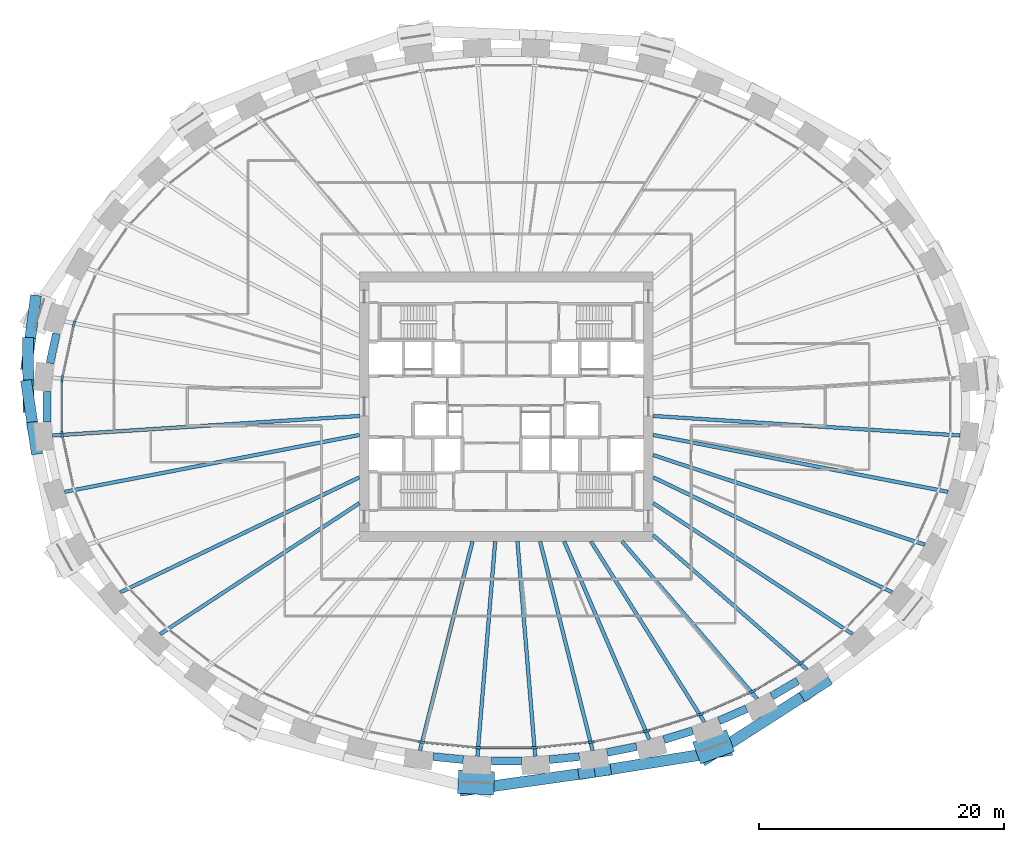
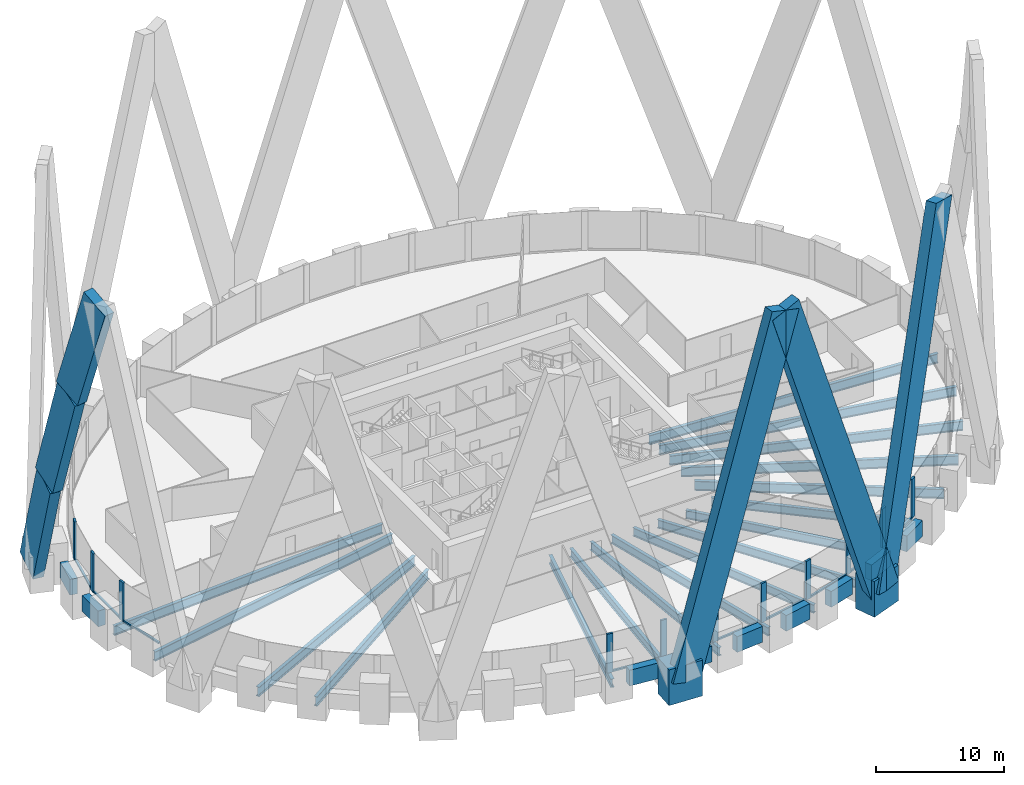
# One storey, part 2 of 12: 29 members, 26 beams, 1 element without a shape of its own.
"""IFC4 building model written with IfcOpenShell, lengths in metres."""

from ifc_helpers import new_model, si_unit, direction, frame, origin, origin_2d, place, context, subcontext, project, spatial, rectangle, i_section, extrude, source, transform, mapped, material, material_profile, profile_set, type_object, element, aggregate, save


model = new_model("IFC4")

# Units and contexts
model_context = context("Model", 3, precision=1e-05, world=origin(), true_north=direction((0.0, 1.0)))
body_context = subcontext(model_context, "Body", "Model", "MODEL_VIEW")
ifc_project = project(units=[si_unit("LENGTHUNIT", "METRE"), si_unit("AREAUNIT", "SQUARE_METRE"), si_unit("VOLUMEUNIT", "CUBIC_METRE"), si_unit("PLANEANGLEUNIT", "RADIAN"), si_unit("MASSUNIT", "GRAM", prefix="KILO")], contexts=[model_context])

# Site, building, storey
site_placement = place(None, origin())
site = spatial("IfcSite", under=ifc_project, at=site_placement, CompositionType="ELEMENT")
building_placement = place(site_placement, origin())
building = spatial("IfcBuilding", under=site, at=building_placement, Name="Embergate Tower", CompositionType="ELEMENT")
storey_placement = place(building_placement, frame((0.0, 0.0, 159.89990234375)))
storey = spatial("IfcBuildingStorey", under=building, at=storey_placement, Name="L35", CompositionType="ELEMENT", Elevation=159.89990234375)

# Beams
ifc_material_1 = material(Name="Concrete C70", Category="concrete")
ifc_material_profile_1 = material_profile(ifc_material_1, rectangle(XDim=0.64990234375, YDim=1.5, at=origin_2d()), Name="RC 650x1500")
ifc_profile_set_1 = profile_set([ifc_material_profile_1], Name="Concrete C70")
beam_type_1 = type_object("IfcBeamType", Name="Spandrel beam RC 650x1500 C70", PredefinedType="BEAM", material=ifc_profile_set_1)
shared_shape_1 = source(origin(), body_context, "Body", "SweptSolid", [
    extrude(rectangle(XDim=0.64990234375, YDim=1.5, at=origin_2d()), origin(), (0.0, 0.0, 1.0), 2.490966796875),
])
beam_1_placement = place(storey_placement, frame((-36.748046875, 5.968017578125, 0.0), z_axis=(-0.210720345789, -0.977546385534, 0.0), x_axis=(0.977546385534, -0.210720345789, 0.0)))
element("IfcBeam", 1, at=beam_1_placement, inside=storey, type_object=beam_type_1, Name="SPN-L35-20", PredefinedType="BEAM", context=body_context, shape_type="MappedRepresentation", body=[
    mapped(shared_shape_1, transform((0.0, 0.0, 0.0))),
])
shared_shape_2 = source(origin(), body_context, "Body", "SweptSolid", [
    extrude(rectangle(XDim=0.64990234375, YDim=1.5, at=origin_2d()), origin(), (0.0, 0.0, 1.0), 2.46142578125),
])
beam_2_placement = place(storey_placement, frame((21.678955078125, -23.652099609375, 0.0), z_axis=(0.86214832468, 0.506655964389, 0.0), x_axis=(-0.506655964389, 0.86214832468, 0.0)))
element("IfcBeam", 2, at=beam_2_placement, inside=storey, type_object=beam_type_1, Name="SPN-L35-37", PredefinedType="BEAM", context=body_context, shape_type="MappedRepresentation", body=[
    mapped(shared_shape_2, transform((0.0, 0.0, 0.0))),
])
shared_shape_3 = source(origin(), body_context, "Body", "SweptSolid", [
    extrude(rectangle(XDim=0.64990234375, YDim=1.5, at=origin_2d()), origin(), (0.0, 0.0, 1.0), 2.456787109375),
])
beam_3_placement = place(storey_placement, frame((17.3701171875, -25.6640625, 0.0), z_axis=(0.916257660854, 0.40058943936, 0.0), x_axis=(-0.40058943936, 0.916257660854, 0.0)))
element("IfcBeam", 3, at=beam_3_placement, inside=storey, type_object=beam_type_1, Name="SPN-L35-36", PredefinedType="BEAM", context=body_context, shape_type="MappedRepresentation", body=[
    mapped(shared_shape_3, transform((0.0, 0.0, 0.0))),
])
shared_shape_4 = source(origin(), body_context, "Body", "SweptSolid", [
    extrude(rectangle(XDim=0.64990234375, YDim=1.5, at=origin_2d()), origin(), (0.0, 0.0, 1.0), 2.4541015625),
])
beam_4_placement = place(storey_placement, frame((12.8720703125, -27.197998046875, 0.0), z_axis=(0.954736297307, 0.29745353016, 0.0), x_axis=(-0.29745353016, 0.954736297307, 0.0)))
element("IfcBeam", 4, at=beam_4_placement, inside=storey, type_object=beam_type_1, Name="SPN-L35-35", PredefinedType="BEAM", context=body_context, shape_type="MappedRepresentation", body=[
    mapped(shared_shape_4, transform((0.0, 0.0, 0.0))),
])
shared_shape_5 = source(origin(), body_context, "Body", "SweptSolid", [
    extrude(rectangle(XDim=0.64990234375, YDim=1.5, at=origin_2d()), origin(), (0.0, 0.0, 1.0), 2.453125),
])
beam_5_placement = place(storey_placement, frame((8.238037109375, -28.2490234375, 0.0), z_axis=(0.980431102511, 0.196862523679, 0.0), x_axis=(-0.196862523679, 0.980431102511, 0.0)))
element("IfcBeam", 5, at=beam_5_placement, inside=storey, type_object=beam_type_1, Name="SPN-L35-34", PredefinedType="BEAM", context=body_context, shape_type="MappedRepresentation", body=[
    mapped(shared_shape_5, transform((0.0, 0.0, 0.0))),
])
shared_shape_6 = source(origin(), body_context, "Body", "SweptSolid", [
    extrude(rectangle(XDim=0.64990234375, YDim=1.5, at=origin_2d()), origin(), (0.0, 0.0, 1.0), 2.45166015625),
])
for number, where, z_axis, x_axis, name in (
    (6, (-5.962890625, -28.587890625, 0.0), (0.995197569904, -0.097886653113, 0.0), (0.097886653113, 0.995197569904, 0.0), "SPN-L35-31"),
    (7, (3.52294921875, -28.827880859375, 0.0), (0.995197569904, 0.097886653113, 0.0), (-0.097886653113, 0.995197569904, 0.0), "SPN-L35-33"),
):
    element("IfcBeam", number, at=place(storey_placement, frame(where, z_axis=z_axis, x_axis=x_axis)), inside=storey, type_object=beam_type_1, Name=name, PredefinedType="BEAM", context=body_context, shape_type="MappedRepresentation", body=[
        mapped(shared_shape_6, transform((0.0, 0.0, 0.0))),
    ])
shared_shape_7 = source(origin(), body_context, "Body", "SweptSolid", [
    extrude(rectangle(XDim=0.64990234375, YDim=1.5, at=origin_2d()), origin(), (0.0, 0.0, 1.0), 2.4521484375),
])
beam_6_placement = place(storey_placement, frame((-1.22607421875, -28.94091796875, 0.0), z_axis=(1.0, 0.0, 0.0), x_axis=(0.0, 1.0, 0.0)))
element("IfcBeam", 8, at=beam_6_placement, inside=storey, type_object=beam_type_1, Name="SPN-L35-32", PredefinedType="BEAM", context=body_context, shape_type="MappedRepresentation", body=[
    mapped(shared_shape_7, transform((0.0, 0.0, 0.0))),
])
shared_shape_8 = source(origin(), body_context, "Body", "SweptSolid", [
    extrude(rectangle(XDim=0.64990234375, YDim=1.5, at=origin_2d()), origin(), (0.0, 0.0, 1.0), 2.4921875),
])
beam_7_placement = place(storey_placement, frame((-37.51611328125, 1.24609375, 0.0), z_axis=(0.0, -1.0, 0.0), x_axis=(1.0, 0.0, 0.0)))
element("IfcBeam", 9, at=beam_7_placement, inside=storey, type_object=beam_type_1, Name="SPN-L35-21", PredefinedType="BEAM", context=body_context, shape_type="MappedRepresentation", body=[
    mapped(shared_shape_8, transform((0.0, 0.0, 0.0))),
])
ifc_material_2 = material(Name="Steel Q355B", Category="steel")
ifc_material_profile_2 = material_profile(ifc_material_2, i_section(OverallWidth=0.300048828125, OverallDepth=0.89990234375, WebThickness=0.01611328125, FlangeThickness=0.028076171875, FilletRadius=0.028076171875, at=origin_2d()), Name="HN 900x300x16x28")
ifc_profile_set_2 = profile_set([ifc_material_profile_2], Name="Steel Q355 grade B")
beam_type_2 = type_object("IfcBeamType", Name="Radial girder HN 900x300x16x28", PredefinedType="BEAM", material=ifc_profile_set_2)
shared_shape_9 = source(origin(), body_context, "Body", "SweptSolid", [
    extrude(i_section(OverallWidth=0.300048828125, OverallDepth=0.89990234375, WebThickness=0.01611328125, FlangeThickness=0.028076171875, FilletRadius=0.028076171875, at=origin_2d()), origin(), (0.0, 0.0, 1.0), 25.12158203125),
])
for number, where, z_axis, x_axis, name in (
    (10, (-37.071044921875, -2.35498046875, -0.64990234375), (0.9979874177, 0.063412255217, 0.0), (-0.063412255217, 0.9979874177, 0.0), "GIR-L35-22"),
    (11, (37.071044921875, -2.35498046875, -0.64990234375), (-0.9979874177, 0.063412255217, 0.0), (-0.063412255217, -0.9979874177, 0.0), "GIR-L35-43"),
):
    element("IfcBeam", number, at=place(storey_placement, frame(where, z_axis=z_axis, x_axis=x_axis)), inside=storey, type_object=beam_type_2, Name=name, PredefinedType="BEAM", context=body_context, shape_type="MappedRepresentation", body=[
        mapped(shared_shape_9, transform((0.0, 0.0, 0.0))),
    ])
shared_shape_10 = source(origin(), body_context, "Body", "SweptSolid", [
    extrude(i_section(OverallWidth=0.300048828125, OverallDepth=0.89990234375, WebThickness=0.01611328125, FlangeThickness=0.028076171875, FilletRadius=0.028076171875, at=origin_2d()), origin(), (0.0, 0.0, 1.0), 24.52392578125),
])
for number, where, z_axis, x_axis, name in (
    (12, (-36.080078125, -6.958984375, -0.64990234375), (0.981906046022, 0.189368732333, 0.0), (-0.189368732333, 0.981906046022, 0.0), "GIR-L35-23"),
    (13, (36.080078125, -6.958984375, -0.64990234375), (-0.981906046022, 0.189368732333, 0.0), (-0.189368732333, -0.981906046022, 0.0), "GIR-L35-42"),
):
    element("IfcBeam", number, at=place(storey_placement, frame(where, z_axis=z_axis, x_axis=x_axis)), inside=storey, type_object=beam_type_2, Name=name, PredefinedType="BEAM", context=body_context, shape_type="MappedRepresentation", body=[
        mapped(shared_shape_10, transform((0.0, 0.0, 0.0))),
    ])
shared_shape_11 = source(origin(), body_context, "Body", "SweptSolid", [
    extrude(i_section(OverallWidth=0.300048828125, OverallDepth=0.89990234375, WebThickness=0.01611328125, FlangeThickness=0.028076171875, FilletRadius=0.028076171875, at=origin_2d()), origin(), (0.0, 0.0, 1.0), 23.36328125),
])
beam_8_placement = place(storey_placement, frame((34.18798828125, -11.27490234375, -0.64990234375), z_axis=(-0.949694119995, 0.313178987877, 0.0), x_axis=(-0.313178987877, -0.949694119995, 0.0)))
element("IfcBeam", 14, at=beam_8_placement, inside=storey, type_object=beam_type_2, Name="GIR-L35-41", PredefinedType="BEAM", context=body_context, shape_type="MappedRepresentation", body=[
    mapped(shared_shape_11, transform((0.0, 0.0, 0.0))),
])
shared_shape_12 = source(origin(), body_context, "Body", "SweptSolid", [
    extrude(i_section(OverallWidth=0.300048828125, OverallDepth=0.89990234375, WebThickness=0.01611328125, FlangeThickness=0.028076171875, FilletRadius=0.028076171875, at=origin_2d()), origin(), (0.0, 0.0, 1.0), 21.680419921875),
])
for number, where, z_axis, x_axis, name in (
    (15, (-31.537109375, -15.172119140625, -0.64990234375), (0.90113839793, 0.433531530315, 0.0), (-0.433531530315, 0.90113839793, 0.0), "GIR-L35-25"),
    (16, (31.537109375, -15.172119140625, -0.64990234375), (-0.90113839793, 0.433531530315, 0.0), (-0.433531530315, -0.90113839793, 0.0), "GIR-L35-40"),
):
    element("IfcBeam", number, at=place(storey_placement, frame(where, z_axis=z_axis, x_axis=x_axis)), inside=storey, type_object=beam_type_2, Name=name, PredefinedType="BEAM", context=body_context, shape_type="MappedRepresentation", body=[
        mapped(shared_shape_12, transform((0.0, 0.0, 0.0))),
    ])
shared_shape_13 = source(origin(), body_context, "Body", "SweptSolid", [
    extrude(i_section(OverallWidth=0.300048828125, OverallDepth=0.89990234375, WebThickness=0.01611328125, FlangeThickness=0.028076171875, FilletRadius=0.028076171875, at=origin_2d()), origin(), (0.0, 0.0, 1.0), 19.484130859375),
])
for number, where, z_axis, x_axis, name in (
    (17, (-28.283935546875, -18.5830078125, -0.64990234375), (0.835750168369, 0.549109876137, 0.0), (-0.549109876137, 0.835750168369, 0.0), "GIR-L35-26"),
    (18, (28.283935546875, -18.5830078125, -0.64990234375), (-0.835750168369, 0.549109876137, 0.0), (-0.549109876137, -0.835750168369, 0.0), "GIR-L35-39"),
):
    element("IfcBeam", number, at=place(storey_placement, frame(where, z_axis=z_axis, x_axis=x_axis)), inside=storey, type_object=beam_type_2, Name=name, PredefinedType="BEAM", context=body_context, shape_type="MappedRepresentation", body=[
        mapped(shared_shape_13, transform((0.0, 0.0, 0.0))),
    ])
ifc_material_profile_3 = material_profile(ifc_material_2, i_section(OverallWidth=0.300048828125, OverallDepth=0.800048828125, WebThickness=0.013916015625, FlangeThickness=0.02587890625, FilletRadius=0.028076171875, at=origin_2d()), Name="HN 800x300x14x26")
ifc_profile_set_3 = profile_set([ifc_material_profile_3], Name="Steel Q355 grade B")
beam_type_3 = type_object("IfcBeamType", Name="Radial girder HN 800x300x14x26", PredefinedType="BEAM", material=ifc_profile_set_3)
shared_shape_14 = source(origin(), body_context, "Body", "SweptSolid", [
    extrude(i_section(OverallWidth=0.300048828125, OverallDepth=0.800048828125, WebThickness=0.013916015625, FlangeThickness=0.02587890625, FilletRadius=0.028076171875, at=origin_2d()), origin(), (0.0, 0.0, 1.0), 16.6953125),
])
beam_9_placement = place(storey_placement, frame((24.56689453125, -21.485107421875, -0.599853515625), z_axis=(-0.752719804108, 0.658341018397, 0.0), x_axis=(-0.658341018397, -0.752719804108, 0.0)))
element("IfcBeam", 19, at=beam_9_placement, inside=storey, type_object=beam_type_3, Name="GIR-L35-38", PredefinedType="BEAM", context=body_context, shape_type="MappedRepresentation", body=[
    mapped(shared_shape_14, transform((0.0, 0.0, 0.0))),
])
shared_shape_15 = source(origin(), body_context, "Body", "SweptSolid", [
    extrude(i_section(OverallWidth=0.300048828125, OverallDepth=0.800048828125, WebThickness=0.013916015625, FlangeThickness=0.02587890625, FilletRadius=0.028076171875, at=origin_2d()), origin(), (0.0, 0.0, 1.0), 16.970458984375),
])
beam_10_placement = place(storey_placement, frame((20.501953125, -23.875, -0.599853515625), z_axis=(-0.651477073616, 0.758668321833, 0.0), x_axis=(-0.758668321833, -0.651477073616, 0.0)))
element("IfcBeam", 20, at=beam_10_placement, inside=storey, type_object=beam_type_3, Name="GIR-L35-37", PredefinedType="BEAM", context=body_context, shape_type="MappedRepresentation", body=[
    mapped(shared_shape_15, transform((0.0, 0.0, 0.0))),
])
shared_shape_16 = source(origin(), body_context, "Body", "SweptSolid", [
    extrude(i_section(OverallWidth=0.300048828125, OverallDepth=0.800048828125, WebThickness=0.013916015625, FlangeThickness=0.02587890625, FilletRadius=0.028076171875, at=origin_2d()), origin(), (0.0, 0.0, 1.0), 17.433837890625),
])
beam_11_placement = place(storey_placement, frame((16.179931640625, -25.763916015625, -0.599853515625), z_axis=(-0.531834233156, 0.846848480216, 0.0), x_axis=(-0.846848480216, -0.531834233156, 0.0)))
element("IfcBeam", 21, at=beam_11_placement, inside=storey, type_object=beam_type_3, Name="GIR-L35-36", PredefinedType="BEAM", context=body_context, shape_type="MappedRepresentation", body=[
    mapped(shared_shape_16, transform((0.0, 0.0, 0.0))),
])
shared_shape_17 = source(origin(), body_context, "Body", "SweptSolid", [
    extrude(i_section(OverallWidth=0.300048828125, OverallDepth=0.800048828125, WebThickness=0.013916015625, FlangeThickness=0.02587890625, FilletRadius=0.028076171875, at=origin_2d()), origin(), (0.0, 0.0, 1.0), 17.59619140625),
])
beam_12_placement = place(storey_placement, frame((11.677001953125, -27.166015625, -0.599853515625), z_axis=(-0.394912057755, 0.918718926898, 0.0), x_axis=(-0.918718926898, -0.394912057755, 0.0)))
element("IfcBeam", 22, at=beam_12_placement, inside=storey, type_object=beam_type_3, Name="GIR-L35-35", PredefinedType="BEAM", context=body_context, shape_type="MappedRepresentation", body=[
    mapped(shared_shape_17, transform((0.0, 0.0, 0.0))),
])
shared_shape_18 = source(origin(), body_context, "Body", "SweptSolid", [
    extrude(i_section(OverallWidth=0.300048828125, OverallDepth=0.800048828125, WebThickness=0.013916015625, FlangeThickness=0.02587890625, FilletRadius=0.028076171875, at=origin_2d()), origin(), (0.0, 0.0, 1.0), 17.624267578125),
])
for number, where, z_axis, x_axis, name in (
    (23, (-7.052001953125, -28.093994140625, -0.599853515625), (0.24347096124, 0.969908186909, 0.0), (-0.969908186909, 0.24347096124, 0.0), "GIR-L35-31"),
    (24, (7.052001953125, -28.093994140625, -0.599853515625), (-0.24347096124, 0.969908186909, 0.0), (-0.969908186909, -0.24347096124, 0.0), "GIR-L35-34"),
):
    element("IfcBeam", number, at=place(storey_placement, frame(where, z_axis=z_axis, x_axis=x_axis)), inside=storey, type_object=beam_type_3, Name=name, PredefinedType="BEAM", context=body_context, shape_type="MappedRepresentation", body=[
        mapped(shared_shape_18, transform((0.0, 0.0, 0.0))),
    ])
shared_shape_19 = source(origin(), body_context, "Body", "SweptSolid", [
    extrude(i_section(OverallWidth=0.300048828125, OverallDepth=0.800048828125, WebThickness=0.013916015625, FlangeThickness=0.02587890625, FilletRadius=0.028076171875, at=origin_2d()), origin(), (0.0, 0.0, 1.0), 17.61572265625),
])
for number, where, z_axis, x_axis, name in (
    (25, (-2.35888671875, -28.555908203125, -0.599853515625), (0.0823102465, 0.996606754603, 0.0), (-0.996606754603, 0.0823102465, 0.0), "GIR-L35-32"),
    (26, (2.35888671875, -28.555908203125, -0.599853515625), (-0.0823102465, 0.996606754603, 0.0), (-0.996606754603, -0.0823102465, 0.0), "GIR-L35-33"),
):
    element("IfcBeam", number, at=place(storey_placement, frame(where, z_axis=z_axis, x_axis=x_axis)), inside=storey, type_object=beam_type_3, Name=name, PredefinedType="BEAM", context=body_context, shape_type="MappedRepresentation", body=[
        mapped(shared_shape_19, transform((0.0, 0.0, 0.0))),
    ])

# Members
ifc_material_profile_4 = material_profile(ifc_material_1, rectangle(XDim=1.89990234375, YDim=2.949951171875, at=origin_2d()), Name="RC 1900x2950")
ifc_profile_set_4 = profile_set([ifc_material_profile_4], Name="Concrete C70")
member_type_1 = type_object("IfcMemberType", Name="Lattice node block RC 1900x2950", PredefinedType="POST", material=ifc_profile_set_4)
shared_shape_20 = source(origin(), body_context, "Body", "SweptSolid", [
    extrude(rectangle(XDim=1.89990234375, YDim=2.949951171875, at=origin_2d()), origin(), (0.0, 0.0, 1.0), 3.400146484375),
])
for number, where, z_axis, x_axis, name in (
    (27, (-2.462890625, -30.702880859375, -1.699951171875), (0.0, 0.0, 1.0), (-0.048814904854, -0.998807841912, 0.0), "NOD-L35-32"),
    (28, (16.929931640625, -27.779052734375, -1.699951171875), (0.0, 0.0, 1.0), (0.348343015724, -0.93736713373, 0.0), "NOD-L35-36"),
):
    element("IfcMember", number, at=place(storey_placement, frame(where, z_axis=z_axis, x_axis=x_axis)), inside=storey, type_object=member_type_1, Name=name, PredefinedType="POST", context=body_context, shape_type="MappedRepresentation", body=[
        mapped(shared_shape_20, transform((0.0, 0.0, 0.0))),
    ])
ifc_material_profile_5 = material_profile(ifc_material_1, rectangle(XDim=0.89990234375, YDim=2.800048828125, at=origin_2d()), Name="RC 900x2800")
ifc_profile_set_5 = profile_set([ifc_material_profile_5], Name="Concrete C70")
member_type_2 = type_object("IfcMemberType", Name="Lattice diagonal terracotta-faced RC 900x2800", PredefinedType="BRACE", material=ifc_profile_set_5)
shared_shape_21 = source(origin(), body_context, "Body", "SweptSolid", [
    extrude(rectangle(XDim=0.89990234375, YDim=2.800048828125, at=origin_2d()), origin(), (0.0, 0.0, 1.0), 10.972900390625),
])
member_1_placement = place(storey_placement, frame((-38.593017578125, 7.779052734375, 0.0), z_axis=(-0.04209606727, -0.316054247132, 0.947806749285), x_axis=(0.99124617456, -0.132026593613, 0.0)))
element("IfcMember", 29, at=member_1_placement, inside=storey, type_object=member_type_2, Name="BRC-L35-20-22-S00", PredefinedType="BRACE", context=body_context, shape_type="MappedRepresentation", body=[
    mapped(shared_shape_21, transform((0.0, 0.0, 0.0))),
])
shared_shape_22 = source(origin(), body_context, "Body", "SweptSolid", [
    extrude(rectangle(XDim=0.89990234375, YDim=2.800048828125, at=origin_2d()), origin(), (0.0, 0.0, 1.0), 10.96142578125),
])
member_2_placement = place(storey_placement, frame((-39.054931640625, 4.31103515625, 10.400146484375), z_axis=(0.001447733982, -0.315940100604, 0.948778033523), x_axis=(0.999989501405, 0.004582257144, 0.0)))
element("IfcMember", 30, at=member_2_placement, inside=storey, type_object=member_type_2, Name="BRC-L35-20-22-S01", PredefinedType="BRACE", context=body_context, shape_type="MappedRepresentation", body=[
    mapped(shared_shape_22, transform((0.0, 0.0, 0.0))),
])
shared_shape_23 = source(origin(), body_context, "Body", "SweptSolid", [
    extrude(rectangle(XDim=0.89990234375, YDim=2.800048828125, at=origin_2d()), origin(), (0.0, 0.0, 1.0), 10.956787109375),
])
member_3_placement = place(storey_placement, frame((-39.0390625, 0.847900390625, 20.800048828125), z_axis=(0.046101514068, -0.311302200602, 0.949192072397), x_axis=(0.989211444227, 0.146494773324, 0.0)))
element("IfcMember", 31, at=member_3_placement, inside=storey, type_object=member_type_2, Name="BRC-L35-20-22-S02", PredefinedType="BRACE", context=body_context, shape_type="MappedRepresentation", body=[
    mapped(shared_shape_23, transform((0.0, 0.0, 0.0))),
])
shared_shape_24 = source(origin(), body_context, "Body", "SweptSolid", [
    extrude(rectangle(XDim=0.89990234375, YDim=2.800048828125, at=origin_2d()), origin(), (0.0, 0.0, 1.0), 32.70361328125),
])
member_4_placement = place(storey_placement, frame((-2.487060546875, -31.195068359375, 0.0), z_axis=(0.296787352343, 0.041864963073, 0.954025467352), x_axis=(-0.139677656884, 0.990197026943, 0.0)))
element("IfcMember", 32, at=member_4_placement, inside=storey, type_object=member_type_2, Name="BRC-L35-32-34-S00", PredefinedType="BRACE", context=body_context, shape_type="MappedRepresentation", body=[
    mapped(shared_shape_24, transform((0.0, 0.0, 0.0))),
])
shared_shape_25 = source(origin(), body_context, "Body", "SweptSolid", [
    extrude(rectangle(XDim=0.89990234375, YDim=2.800048828125, at=origin_2d()), origin(), (0.0, 0.0, 1.0), 32.76611328125),
])
member_5_placement = place(storey_placement, frame((17.10107421875, -28.240966796875, 0.0), z_axis=(-0.301594289104, -0.048371917999, 0.952208507801), x_axis=(0.158363434544, -0.987380890335, 0.0)))
element("IfcMember", 33, at=member_5_placement, inside=storey, type_object=member_type_2, Name="BRC-L35-36-34-S00", PredefinedType="BRACE", context=body_context, shape_type="MappedRepresentation", body=[
    mapped(shared_shape_25, transform((0.0, 0.0, 0.0))),
])
shared_shape_26 = source(origin(), body_context, "Body", "SweptSolid", [
    extrude(rectangle(XDim=0.89990234375, YDim=2.800048828125, at=origin_2d()), origin(), (0.0, 0.0, 1.0), 32.6767578125),
])
member_6_placement = place(storey_placement, frame((17.10107421875, -28.240966796875, 0.0), z_axis=(0.250172154934, 0.16044818502, 0.954814260901), x_axis=(-0.539860265843, 0.841754651525, 0.0)))
element("IfcMember", 34, at=member_6_placement, inside=storey, type_object=member_type_2, Name="BRC-L35-36-38-S00", PredefinedType="BRACE", context=body_context, shape_type="MappedRepresentation", body=[
    mapped(shared_shape_26, transform((0.0, 0.0, 0.0))),
])

# Curtain wall, members
ifc_material_3 = material(Name="Aluminium and glass", Category="aluminium")
curtain_wall_type = type_object("IfcCurtainWallType", Name="Recessed office glazing", PredefinedType="NOTDEFINED", material=ifc_material_3)
curtain_wall_placement = place(storey_placement, origin())
curtain_wall = element("IfcCurtainWall", 35, at=curtain_wall_placement, inside=storey, type_object=curtain_wall_type, Name="Recessed office glazing ring", ObjectType="RECESSED OFFICE GLAZING", PredefinedType="USERDEFINED")
ifc_material_4 = material(Name="Aluminium, thermally broken", Category="aluminium")
ifc_material_profile_6 = material_profile(ifc_material_4, rectangle(XDim=0.179931640625, YDim=0.52001953125, at=origin_2d()), Name="AL 520x180")
ifc_profile_set_6 = profile_set([ifc_material_profile_6], Name="Aluminium, thermally broken")
member_type_3 = type_object("IfcMemberType", Name="Office mullion", PredefinedType="MULLION", material=ifc_profile_set_6)
shared_shape_27 = source(origin(), body_context, "Body", "SweptSolid", [
    extrude(rectangle(XDim=0.179931640625, YDim=0.52001953125, at=origin_2d()), origin(), (0.0, 0.0, 1.0), 3.7001953125),
])
member_7_placement = place(storey_placement, frame((-35.318115234375, 6.763427734375, 0.0), z_axis=(0.0, 0.0, 1.0), x_axis=(0.951497797992, -0.307655554826, 0.0)))
member_7 = element("IfcMember", 36, at=member_7_placement, type_object=member_type_3, Name="CW mullion 21", PredefinedType="MULLION", context=body_context, shape_type="MappedRepresentation", body=[
    mapped(shared_shape_27, transform((0.0, 0.0, 0.0))),
])
member_8_placement = place(storey_placement, frame((-36.281494140625, 2.287841796875, 0.0), z_axis=(0.0, 0.0, 1.0), x_axis=(0.994384954736, -0.105823257345, 0.0)))
member_8 = element("IfcMember", 37, at=member_8_placement, type_object=member_type_3, Name="CW mullion 22", PredefinedType="MULLION", context=body_context, shape_type="MappedRepresentation", body=[
    mapped(shared_shape_27, transform((0.0, 0.0, 0.0))),
])
member_9_placement = place(storey_placement, frame((-36.281494140625, -2.287841796875, 0.0), z_axis=(0.0, 0.0, 1.0), x_axis=(0.994384954736, 0.105823257345, 0.0)))
member_9 = element("IfcMember", 38, at=member_9_placement, type_object=member_type_3, Name="CW mullion 23", PredefinedType="MULLION", context=body_context, shape_type="MappedRepresentation", body=[
    mapped(shared_shape_27, transform((0.0, 0.0, 0.0))),
])
member_10_placement = place(storey_placement, frame((-6.919189453125, -27.40380859375, 0.0), z_axis=(0.0, 0.0, 1.0), x_axis=(0.147412382818, 0.989075118174, 0.0)))
member_10 = element("IfcMember", 39, at=member_10_placement, type_object=member_type_3, Name="CW mullion 32", PredefinedType="MULLION", context=body_context, shape_type="MappedRepresentation", body=[
    mapped(shared_shape_27, transform((0.0, 0.0, 0.0))),
])
member_11_placement = place(storey_placement, frame((-2.31396484375, -27.8564453125, 0.0), z_axis=(0.0, 0.0, 1.0), x_axis=(0.048971796621, 0.998800161762, 0.0)))
member_11 = element("IfcMember", 40, at=member_11_placement, type_object=member_type_3, Name="CW mullion 33", PredefinedType="MULLION", context=body_context, shape_type="MappedRepresentation", body=[
    mapped(shared_shape_27, transform((0.0, 0.0, 0.0))),
])
member_12_placement = place(storey_placement, frame((2.31396484375, -27.8564453125, 0.0), z_axis=(0.0, 0.0, 1.0), x_axis=(-0.048971796621, 0.998800161762, 0.0)))
member_12 = element("IfcMember", 41, at=member_12_placement, type_object=member_type_3, Name="CW mullion 34", PredefinedType="MULLION", context=body_context, shape_type="MappedRepresentation", body=[
    mapped(shared_shape_27, transform((0.0, 0.0, 0.0))),
])
member_13_placement = place(storey_placement, frame((6.919189453125, -27.40380859375, 0.0), z_axis=(0.0, 0.0, 1.0), x_axis=(-0.147412382818, 0.989075118174, 0.0)))
member_13 = element("IfcMember", 42, at=member_13_placement, type_object=member_type_3, Name="CW mullion 35", PredefinedType="MULLION", context=body_context, shape_type="MappedRepresentation", body=[
    mapped(shared_shape_27, transform((0.0, 0.0, 0.0))),
])
member_14_placement = place(storey_placement, frame((11.454833984375, -26.494140625, 0.0), z_axis=(0.0, 0.0, 1.0), x_axis=(-0.24731188137, 0.968935928394, 0.0)))
member_14 = element("IfcMember", 43, at=member_14_placement, type_object=member_type_3, Name="CW mullion 36", PredefinedType="MULLION", context=body_context, shape_type="MappedRepresentation", body=[
    mapped(shared_shape_27, transform((0.0, 0.0, 0.0))),
])
member_15_placement = place(storey_placement, frame((15.86962890625, -25.119384765625, 0.0), z_axis=(0.0, 0.0, 1.0), x_axis=(-0.349502682851, 0.936935363128, 0.0)))
member_15 = element("IfcMember", 44, at=member_15_placement, type_object=member_type_3, Name="CW mullion 37", PredefinedType="MULLION", context=body_context, shape_type="MappedRepresentation", body=[
    mapped(shared_shape_27, transform((0.0, 0.0, 0.0))),
])
member_16_placement = place(storey_placement, frame((20.103271484375, -23.26806640625, 0.0), z_axis=(0.0, 0.0, 1.0), x_axis=(-0.454509825889, 0.890741723605, 0.0)))
member_16 = element("IfcMember", 45, at=member_16_placement, type_object=member_type_3, Name="CW mullion 38", PredefinedType="MULLION", context=body_context, shape_type="MappedRepresentation", body=[
    mapped(shared_shape_27, transform((0.0, 0.0, 0.0))),
])
member_17_placement = place(storey_placement, frame((24.08251953125, -20.9287109375, 0.0), z_axis=(0.0, 0.0, 1.0), x_axis=(-0.562216175174, 0.826990309721, 0.0)))
member_17 = element("IfcMember", 46, at=member_17_placement, type_object=member_type_3, Name="CW mullion 39", PredefinedType="MULLION", context=body_context, shape_type="MappedRepresentation", body=[
    mapped(shared_shape_27, transform((0.0, 0.0, 0.0))),
])
ifc_material_profile_7 = material_profile(ifc_material_4, rectangle(XDim=0.179931640625, YDim=0.14990234375, at=origin_2d()), Name="AL 150x180")
ifc_profile_set_7 = profile_set([ifc_material_profile_7], Name="Aluminium, thermally broken")
member_type_4 = type_object("IfcMemberType", Name="Office sill transom", PredefinedType="USERDEFINED", material=ifc_profile_set_7)
shared_shape_28 = source(origin(), body_context, "Body", "SweptSolid", [
    extrude(rectangle(XDim=0.179931640625, YDim=0.14990234375, at=origin_2d()), origin(), (0.0, 0.0, 1.0), 4.05810546875),
])
member_18_placement = place(storey_placement, frame((-35.372802734375, 6.50927734375, 0.0751953125), z_axis=(-0.210441087969, -0.977606540738, 0.0), x_axis=(0.977606540738, -0.210441087969, 0.0)))
member_18 = element("IfcMember", 47, at=member_18_placement, type_object=member_type_4, Name="CW transom 21.1", ObjectType="TRANSOM", PredefinedType="USERDEFINED", context=body_context, shape_type="MappedRepresentation", body=[
    mapped(shared_shape_28, transform((0.0, 0.0, 0.0))),
])
member_19_placement = place(storey_placement, frame((-36.226806640625, -2.5419921875, 0.0751953125), z_axis=(0.210441087969, -0.977606540738, 0.0), x_axis=(0.977606540738, 0.210441087969, 0.0)))
member_19 = element("IfcMember", 48, at=member_19_placement, type_object=member_type_4, Name="CW transom 23.1", ObjectType="TRANSOM", PredefinedType="USERDEFINED", context=body_context, shape_type="MappedRepresentation", body=[
    mapped(shared_shape_28, transform((0.0, 0.0, 0.0))),
])
shared_shape_29 = source(origin(), body_context, "Body", "SweptSolid", [
    extrude(rectangle(XDim=0.179931640625, YDim=0.14990234375, at=origin_2d()), origin(), (0.0, 0.0, 1.0), 4.095947265625),
])
member_20_placement = place(storey_placement, frame((20.327392578125, -23.13623046875, 0.0751953125), z_axis=(0.86205523764, 0.506814332134, 0.0), x_axis=(-0.506814332134, 0.86205523764, 0.0)))
member_20 = element("IfcMember", 49, at=member_20_placement, type_object=member_type_4, Name="CW transom 38.1", ObjectType="TRANSOM", PredefinedType="USERDEFINED", context=body_context, shape_type="MappedRepresentation", body=[
    mapped(shared_shape_29, transform((0.0, 0.0, 0.0))),
])
shared_shape_30 = source(origin(), body_context, "Body", "SweptSolid", [
    extrude(rectangle(XDim=0.179931640625, YDim=0.14990234375, at=origin_2d()), origin(), (0.0, 0.0, 1.0), 4.1005859375),
])
member_21_placement = place(storey_placement, frame((16.10791015625, -25.01513671875, 0.0751953125), z_axis=(0.916237937351, 0.400634549382, 0.0), x_axis=(-0.400634549382, 0.916237937351, 0.0)))
member_21 = element("IfcMember", 50, at=member_21_placement, type_object=member_type_4, Name="CW transom 37.1", ObjectType="TRANSOM", PredefinedType="USERDEFINED", context=body_context, shape_type="MappedRepresentation", body=[
    mapped(shared_shape_30, transform((0.0, 0.0, 0.0))),
])
shared_shape_31 = source(origin(), body_context, "Body", "SweptSolid", [
    extrude(rectangle(XDim=0.179931640625, YDim=0.14990234375, at=origin_2d()), origin(), (0.0, 0.0, 1.0), 4.103759765625),
])
member_22_placement = place(storey_placement, frame((11.703125, -26.416748046875, 0.0751953125), z_axis=(0.954772738111, 0.297336540911, 0.0), x_axis=(-0.297336540911, 0.954772738111, 0.0)))
member_22 = element("IfcMember", 51, at=member_22_placement, type_object=member_type_4, Name="CW transom 36.1", ObjectType="TRANSOM", PredefinedType="USERDEFINED", context=body_context, shape_type="MappedRepresentation", body=[
    mapped(shared_shape_31, transform((0.0, 0.0, 0.0))),
])
shared_shape_32 = source(origin(), body_context, "Body", "SweptSolid", [
    extrude(rectangle(XDim=0.179931640625, YDim=0.14990234375, at=origin_2d()), origin(), (0.0, 0.0, 1.0), 4.10595703125),
])
member_23_placement = place(storey_placement, frame((7.174072265625, -27.352783203125, 0.0751953125), z_axis=(0.980477631016, 0.196630656505, 0.0), x_axis=(-0.196630656505, 0.980477631016, 0.0)))
member_23 = element("IfcMember", 52, at=member_23_placement, type_object=member_type_4, Name="CW transom 35.1", ObjectType="TRANSOM", PredefinedType="USERDEFINED", context=body_context, shape_type="MappedRepresentation", body=[
    mapped(shared_shape_32, transform((0.0, 0.0, 0.0))),
])
shared_shape_33 = source(origin(), body_context, "Body", "SweptSolid", [
    extrude(rectangle(XDim=0.179931640625, YDim=0.14990234375, at=origin_2d()), origin(), (0.0, 0.0, 1.0), 4.107666015625),
])
member_24_placement = place(storey_placement, frame((-6.660400390625, -27.42919921875, 0.0751953125), z_axis=(0.995202914721, -0.097832297995, 0.0), x_axis=(0.097832297995, 0.995202914721, 0.0)))
member_24 = element("IfcMember", 53, at=member_24_placement, type_object=member_type_4, Name="CW transom 32.1", ObjectType="TRANSOM", PredefinedType="USERDEFINED", context=body_context, shape_type="MappedRepresentation", body=[
    mapped(shared_shape_33, transform((0.0, 0.0, 0.0))),
])
member_25_placement = place(storey_placement, frame((2.572509765625, -27.8310546875, 0.0751953125), z_axis=(0.995202914721, 0.097832297995, 0.0), x_axis=(-0.097832297995, 0.995202914721, 0.0)))
member_25 = element("IfcMember", 54, at=member_25_placement, type_object=member_type_4, Name="CW transom 34.1", ObjectType="TRANSOM", PredefinedType="USERDEFINED", context=body_context, shape_type="MappedRepresentation", body=[
    mapped(shared_shape_33, transform((0.0, 0.0, 0.0))),
])
shared_shape_34 = source(origin(), body_context, "Body", "SweptSolid", [
    extrude(rectangle(XDim=0.179931640625, YDim=0.14990234375, at=origin_2d()), origin(), (0.0, 0.0, 1.0), 4.10791015625),
])
member_26_placement = place(storey_placement, frame((-2.053955078125, -27.8564453125, 0.0751953125), z_axis=(1.0, 0.0, 0.0), x_axis=(0.0, 1.0, 0.0)))
member_26 = element("IfcMember", 55, at=member_26_placement, type_object=member_type_4, Name="CW transom 33.1", ObjectType="TRANSOM", PredefinedType="USERDEFINED", context=body_context, shape_type="MappedRepresentation", body=[
    mapped(shared_shape_34, transform((0.0, 0.0, 0.0))),
])
shared_shape_35 = source(origin(), body_context, "Body", "SweptSolid", [
    extrude(rectangle(XDim=0.179931640625, YDim=0.14990234375, at=origin_2d()), origin(), (0.0, 0.0, 1.0), 4.0556640625),
])
member_27_placement = place(storey_placement, frame((-36.281494140625, 2.02783203125, 0.0751953125), z_axis=(0.0, -1.0, 0.0), x_axis=(1.0, 0.0, 0.0)))
member_27 = element("IfcMember", 56, at=member_27_placement, type_object=member_type_4, Name="CW transom 22.1", ObjectType="TRANSOM", PredefinedType="USERDEFINED", context=body_context, shape_type="MappedRepresentation", body=[
    mapped(shared_shape_35, transform((0.0, 0.0, 0.0))),
])
aggregate(curtain_wall, [member_7, member_8, member_9, member_10, member_11, member_12, member_13, member_14, member_15, member_16, member_17, member_18, member_27, member_19, member_24, member_26, member_25, member_23, member_22, member_21, member_20])

save(model, "model.ifc")
